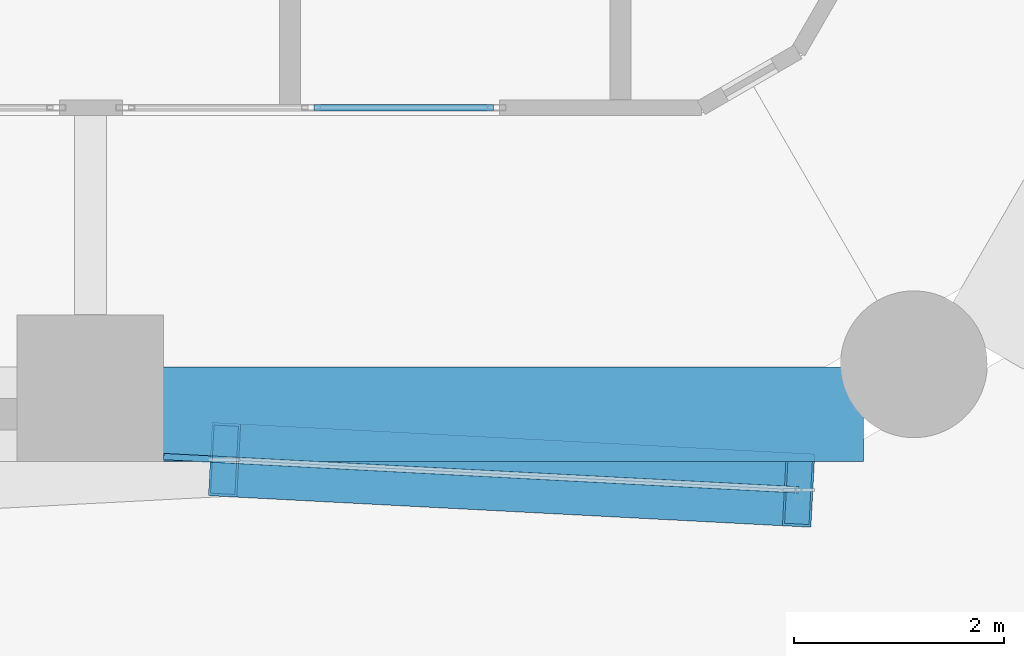
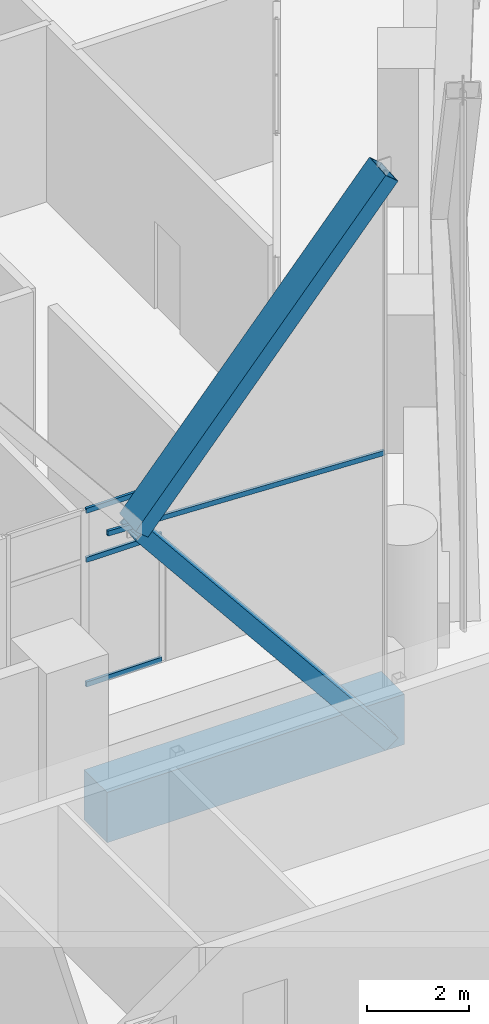
# One storey, part 12 of 71: 6 members, 1 beam, 2 elements without a shape of their own.
"""IFC4 building model written with IfcOpenShell, lengths in metres."""

from ifc_helpers import new_model, si_unit, direction, frame, origin, origin_2d, place, context, subcontext, project, spatial, rectangle, hollow_rectangle, extrude, material, material_profile, profile_set, type_object, element, aggregate, save


model = new_model("IFC4")

# Units and contexts
model_context = context("Model", 3, precision=1e-05, world=origin(), true_north=direction((0.0, 1.0)))
body_context = subcontext(model_context, "Body", "Model", "MODEL_VIEW")
ifc_project = project(units=[si_unit("LENGTHUNIT", "METRE"), si_unit("AREAUNIT", "SQUARE_METRE"), si_unit("VOLUMEUNIT", "CUBIC_METRE"), si_unit("PLANEANGLEUNIT", "RADIAN"), si_unit("MASSUNIT", "GRAM", prefix="KILO")], contexts=[model_context])

# Site, building, storey
site_placement = place(None, origin())
site = spatial("IfcSite", under=ifc_project, at=site_placement, CompositionType="ELEMENT")
building_placement = place(site_placement, origin())
building = spatial("IfcBuilding", under=site, at=building_placement, Name="Ostrander Bayou Hotel Tower", CompositionType="ELEMENT")
storey_placement = place(building_placement, frame((0.0, 0.0, 10.0)))
storey = spatial("IfcBuildingStorey", under=building, at=storey_placement, Name="L02", CompositionType="ELEMENT", Elevation=10.0)

# Curtain wall, member
ifc_material_1 = material(Name="Aluminium and clear glass", Category="aluminium")
curtain_wall_type_1 = type_object("IfcCurtainWallType", Name="CW-LAT lattice glazing", PredefinedType="NOTDEFINED", material=ifc_material_1)
curtain_wall_1_placement = place(storey_placement, origin())
curtain_wall_1 = element("IfcCurtainWall", 1, at=curtain_wall_1_placement, inside=storey, type_object=curtain_wall_type_1, Name="CW-LAT L02 S 2", PredefinedType="NOTDEFINED")
ifc_material_2 = material(Name="Aluminium", Category="aluminium")
ifc_material_profile_1 = material_profile(ifc_material_2, hollow_rectangle(XDim=0.06005859375, YDim=0.1201171875, WallThickness=0.00390625, at=origin_2d()))
ifc_profile_set_1 = profile_set([ifc_material_profile_1], Name="Aluminium")
member_type_1 = type_object("IfcMemberType", Name="CW-LA transom 60 x 120 mm", PredefinedType="USERDEFINED", material=ifc_profile_set_1)
member_1_placement = place(storey_placement, frame((10.95068359375, -22.070068359375, 6.14990234375), z_axis=(-0.998629151189, 0.052343274597, 0.0), x_axis=(-0.052343274597, -0.998629151189, 0.0)))
member_1 = element("IfcMember", 2, at=member_1_placement, type_object=member_type_1, Name="CW-LAT transom 6", ObjectType="TRANSOM", PredefinedType="USERDEFINED", context=body_context, shape_type="SweptSolid", body=[
    extrude(hollow_rectangle(XDim=0.06005859375, YDim=0.1201171875, WallThickness=0.00390625, at=origin_2d()), origin(), (0.0, 0.0, 1.0), 6.0634765625),
])
aggregate(curtain_wall_1, [member_1])

# Curtain wall, members
ifc_material_3 = material(Name="Aluminium and clear glass", Category="aluminium")
curtain_wall_type_2 = type_object("IfcCurtainWallType", Name="CW-SKY amenity glass wall", PredefinedType="NOTDEFINED", material=ifc_material_3)
curtain_wall_2_placement = place(storey_placement, origin())
curtain_wall_2 = element("IfcCurtainWall", 3, at=curtain_wall_2_placement, inside=storey, type_object=curtain_wall_type_2, Name="CW-SKY L02 S 4", PredefinedType="NOTDEFINED")
ifc_material_4 = material(Name="Aluminium", Category="aluminium")
ifc_material_profile_2 = material_profile(ifc_material_4, hollow_rectangle(XDim=0.06005859375, YDim=0.1201171875, WallThickness=0.00390625, at=origin_2d()))
ifc_profile_set_2 = profile_set([ifc_material_profile_2], Name="Aluminium")
member_type_2 = type_object("IfcMemberType", Name="CW-SK transom 60 x 120 mm", PredefinedType="USERDEFINED", material=ifc_profile_set_2)
member_2_placement = place(storey_placement, frame((6.330078125, -18.425048828125, 0.030029296875), z_axis=(1.0, 0.0, 0.0), x_axis=(0.0, 1.0, 0.0)))
member_2 = element("IfcMember", 4, at=member_2_placement, type_object=member_type_2, Name="CW-SKY transom 2.1", ObjectType="TRANSOM", PredefinedType="USERDEFINED", context=body_context, shape_type="SweptSolid", body=[
    extrude(hollow_rectangle(XDim=0.06005859375, YDim=0.1201171875, WallThickness=0.00390625, at=origin_2d()), origin(), (0.0, 0.0, 1.0), 1.7099609375),
])
member_3_placement = place(storey_placement, frame((6.330078125, -18.425048828125, 3.0), z_axis=(1.0, 0.0, 0.0), x_axis=(0.0, 1.0, 0.0)))
member_3 = element("IfcMember", 5, at=member_3_placement, type_object=member_type_2, Name="CW-SKY transom 2.2", ObjectType="TRANSOM", PredefinedType="USERDEFINED", context=body_context, shape_type="SweptSolid", body=[
    extrude(hollow_rectangle(XDim=0.06005859375, YDim=0.1201171875, WallThickness=0.00390625, at=origin_2d()), origin(), (0.0, 0.0, 1.0), 1.7099609375),
])
member_4_placement = place(storey_placement, frame((6.330078125, -18.425048828125, 4.169921875), z_axis=(1.0, 0.0, 0.0), x_axis=(0.0, 1.0, 0.0)))
member_4 = element("IfcMember", 6, at=member_4_placement, type_object=member_type_2, Name="CW-SKY transom 2.3", ObjectType="TRANSOM", PredefinedType="USERDEFINED", context=body_context, shape_type="SweptSolid", body=[
    extrude(hollow_rectangle(XDim=0.06005859375, YDim=0.1201171875, WallThickness=0.00390625, at=origin_2d()), origin(), (0.0, 0.0, 1.0), 1.7099609375),
])
aggregate(curtain_wall_2, [member_2, member_3, member_4])

# Members
ifc_material_5 = material(Name="Steel ASTM A572 Gr 50", Category="steel")
ifc_material_profile_3 = material_profile(ifc_material_5, hollow_rectangle(XDim=0.699951171875, YDim=0.35009765625, WallThickness=0.02490234375, at=origin_2d()))
ifc_profile_set_3 = profile_set([ifc_material_profile_3], Name="Steel ASTM A572 Gr 50")
member_type_3 = type_object("IfcMemberType", Name="LT1 lattice member box 700 x 350 x 25 mm", PredefinedType="BRACE", material=ifc_profile_set_3)
for number, where, z_axis, x_axis, name in (
    (7, (5.475341796875, -21.783203125, 6.14990234375), (0.629623537067, -0.032987365945, -0.77619973928), (0.052320446705, 0.998630347454, 0.0), "LT1 L02 S 5"),
    (8, (5.475341796875, -21.783203125, 6.14990234375), (0.629623537067, -0.032987365945, 0.77619973928), (0.052320446705, 0.998630347454, 0.0), "LT1 L02 S 6"),
):
    element("IfcMember", number, at=place(storey_placement, frame(where, z_axis=z_axis, x_axis=x_axis)), inside=storey, type_object=member_type_3, Name=name, PredefinedType="BRACE", context=body_context, shape_type="SweptSolid", body=[
        extrude(hollow_rectangle(XDim=0.699951171875, YDim=0.35009765625, WallThickness=0.02490234375, at=origin_2d()), origin(), (0.0, 0.0, 1.0), 8.6962890625),
    ])

# Beam
ifc_material_6 = material(Name="Concrete f'c 70 MPa", Category="concrete")
ifc_material_profile_4 = material_profile(ifc_material_6, rectangle(XDim=0.89990234375, YDim=1.199951171875, at=origin_2d()))
ifc_profile_set_4 = profile_set([ifc_material_profile_4], Name="Concrete f'c 70 MPa")
beam_type = type_object("IfcBeamType", Name="SP1 spandrel beam 900 x 1200 mm f'c 70 MPa", PredefinedType="SPANDREL", material=ifc_profile_set_4)
beam_placement = place(storey_placement, frame((4.865478515625, -21.35009765625, -0.60009765625), z_axis=(1.0, 0.0, 0.0), x_axis=(0.0, 1.0, 0.0)))
element("IfcBeam", 9, at=beam_placement, inside=storey, type_object=beam_type, Name="SP1 L02 S-3", PredefinedType="SPANDREL", context=body_context, shape_type="SweptSolid", body=[
    extrude(rectangle(XDim=0.89990234375, YDim=1.199951171875, at=origin_2d()), origin(), (0.0, 0.0, 1.0), 6.70361328125),
])

save(model, "model.ifc")
